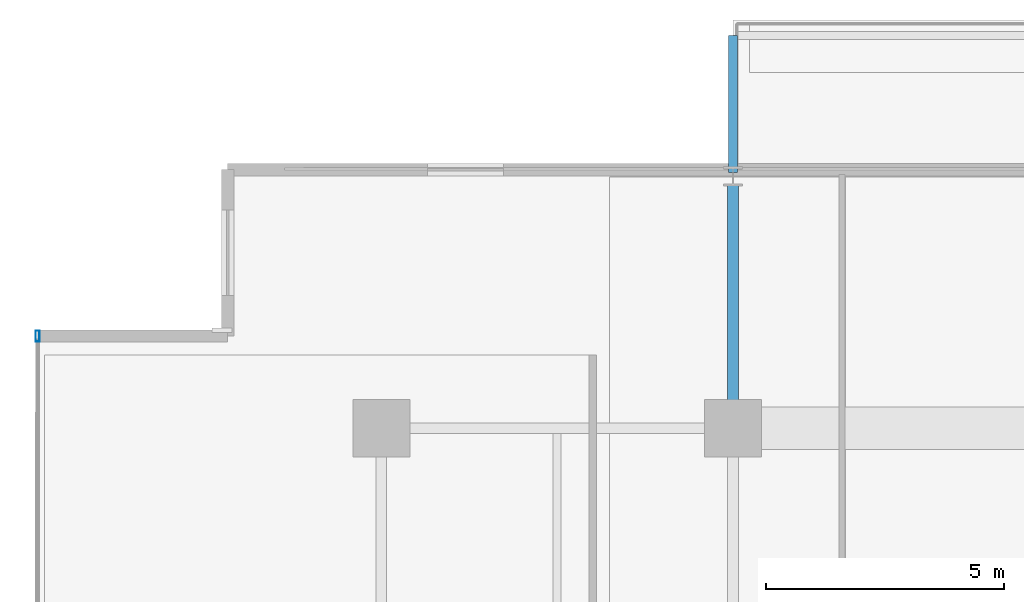
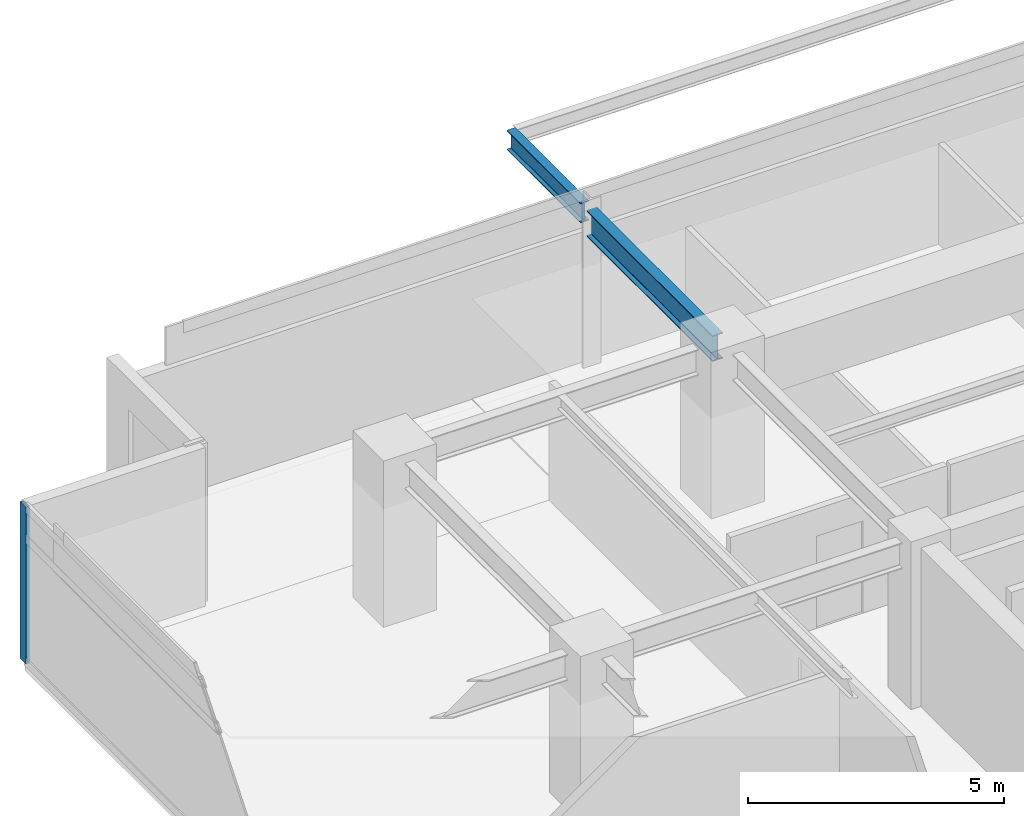
# One storey, part 10 of 21: 2 beams, 1 member, 1 element without a shape of its own.
"""IFC4 building model written with IfcOpenShell, lengths in metres."""

from ifc_helpers import new_model, si_unit, direction, frame, origin, origin_2d, place, context, subcontext, project, spatial, hollow_rectangle, i_section, extrude, material, material_profile, profile_set, type_object, element, aggregate, save


model = new_model("IFC4")

# Units and contexts
model_context = context("Model", 3, precision=1e-05, world=origin(), true_north=direction((0.0, 1.0)))
body_context = subcontext(model_context, "Body", "Model", "MODEL_VIEW")
ifc_project = project(units=[si_unit("LENGTHUNIT", "METRE"), si_unit("AREAUNIT", "SQUARE_METRE"), si_unit("VOLUMEUNIT", "CUBIC_METRE"), si_unit("PLANEANGLEUNIT", "RADIAN"), si_unit("MASSUNIT", "GRAM", prefix="KILO")], contexts=[model_context])

# Site, building, storey
site_placement = place(None, origin())
site = spatial("IfcSite", under=ifc_project, at=site_placement, CompositionType="ELEMENT")
building_placement = place(site_placement, origin())
building = spatial("IfcBuilding", under=site, at=building_placement, Name="Kovane Verandah Tower", CompositionType="ELEMENT")
storey_placement = place(building_placement, frame((0.0, 0.0, 283.199951171875)))
storey = spatial("IfcBuildingStorey", under=building, at=storey_placement, Name="L66", CompositionType="ELEMENT", Elevation=283.199951171875)

# Beam
ifc_material_1 = material(Name="Steel S355", Category="steel")
ifc_material_profile_1 = material_profile(ifc_material_1, i_section(OverallWidth=0.230224609375, OverallDepth=0.6171875, WebThickness=0.01318359375, FlangeThickness=0.022216796875, FilletRadius=0.0126953125, at=origin_2d()), Name="UB610x229x140")
ifc_profile_set_1 = profile_set([ifc_material_profile_1], Name="Steel S355")
beam_type_1 = type_object("IfcBeamType", Name="BM-UB610x140", PredefinedType="BEAM", material=ifc_profile_set_1)
beam_1_placement = place(storey_placement, frame((29.0, 44.3798828125, 3.451416015625), z_axis=(0.0, 1.0, 0.0), x_axis=(-1.0, 0.0, 0.0)))
element("IfcBeam", 1, at=beam_1_placement, inside=storey, type_object=beam_type_1, Name="L66 Primary Tower Girder G-VN1", PredefinedType="BEAM", context=body_context, shape_type="SweptSolid", body=[
    extrude(i_section(OverallWidth=0.230224609375, OverallDepth=0.6171875, WebThickness=0.01318359375, FlangeThickness=0.022216796875, FilletRadius=0.0126953125, at=origin_2d()), origin(), (0.0, 0.0, 1.0), 4.940185546875),
])

# Curtain wall, member
ifc_material_2 = material(Name="Champagne Anodised Aluminium Frame with Low-E Clear Laminated Glass", Category="aluminium")
curtain_wall_type = type_object("IfcCurtainWallType", Name="CW-SYS-05-HIGH", PredefinedType="NOTDEFINED", material=ifc_material_2)
curtain_wall_placement = place(storey_placement, origin())
curtain_wall = element("IfcCurtainWall", 2, at=curtain_wall_placement, inside=storey, type_object=curtain_wall_type, Name="L66 W Unitised Curtain Wall-1", PredefinedType="NOTDEFINED")
ifc_material_3 = material(Name="Champagne Anodised Aluminium 6063-T6", Category="aluminium")
ifc_material_profile_2 = material_profile(ifc_material_3, hollow_rectangle(XDim=0.0849609375, YDim=0.22998046875, WallThickness=0.00390625, at=origin_2d()), Name="AL85x230x4")
ifc_profile_set_2 = profile_set([ifc_material_profile_2], Name="Champagne Anodised Aluminium 6063-T6")
member_type = type_object("IfcMemberType", Name="CW-MUL-85x230", PredefinedType="MULLION", material=ifc_profile_set_2)
member_placement = place(storey_placement, frame((14.36865234375, 46.140380859375, 0.02001953125), z_axis=(0.0, 0.0, 1.0), x_axis=(-1.0, 0.0, 0.0)))
member = element("IfcMember", 3, at=member_placement, type_object=member_type, Name="L66 W Unitised Curtain Wall-1 Mullion 1", PredefinedType="MULLION", context=body_context, shape_type="SweptSolid", body=[
    extrude(hollow_rectangle(XDim=0.0849609375, YDim=0.22998046875, WallThickness=0.00390625, at=origin_2d()), origin(), (0.0, 0.0, 1.0), 3.7451171875),
])
aggregate(curtain_wall, [member])

# Beam
ifc_material_profile_3 = material_profile(ifc_material_1, i_section(OverallWidth=0.19287109375, OverallDepth=0.46728515625, WebThickness=0.011474609375, FlangeThickness=0.01953125, FilletRadius=0.01025390625, at=origin_2d()), Name="UB457x191x98")
ifc_profile_set_3 = profile_set([ifc_material_profile_3], Name="Steel S355")
beam_type_2 = type_object("IfcBeamType", Name="JST-UB457x98", PredefinedType="JOIST", material=ifc_profile_set_3)
beam_2_placement = place(storey_placement, frame((29.0, 49.580078125, 3.5263671875), z_axis=(0.0, 1.0, 0.0), x_axis=(-1.0, 0.0, 0.0)))
element("IfcBeam", 4, at=beam_2_placement, inside=storey, type_object=beam_type_2, Name="L66 North Planter Girder 1", PredefinedType="JOIST", context=body_context, shape_type="SweptSolid", body=[
    extrude(i_section(OverallWidth=0.19287109375, OverallDepth=0.46728515625, WebThickness=0.011474609375, FlangeThickness=0.01953125, FilletRadius=0.01025390625, at=origin_2d()), origin(), (0.0, 0.0, 1.0), 2.88427734375),
])

save(model, "model.ifc")
